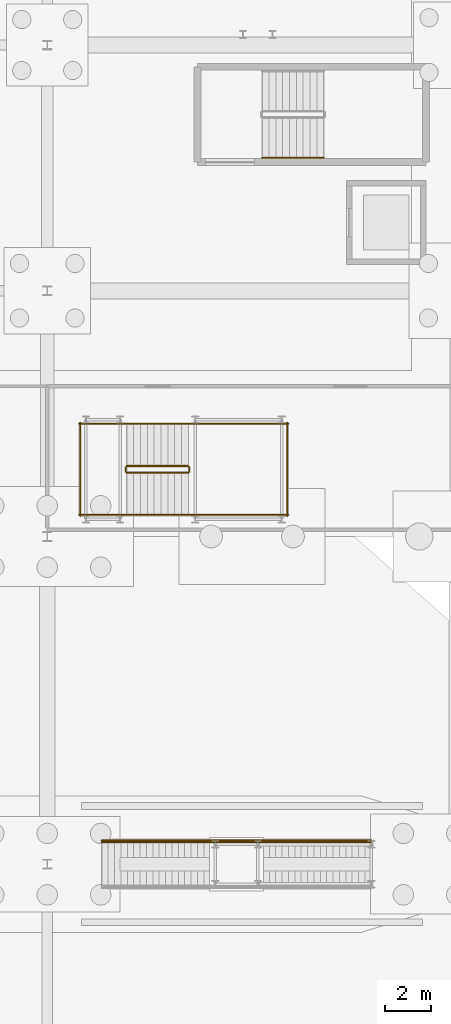
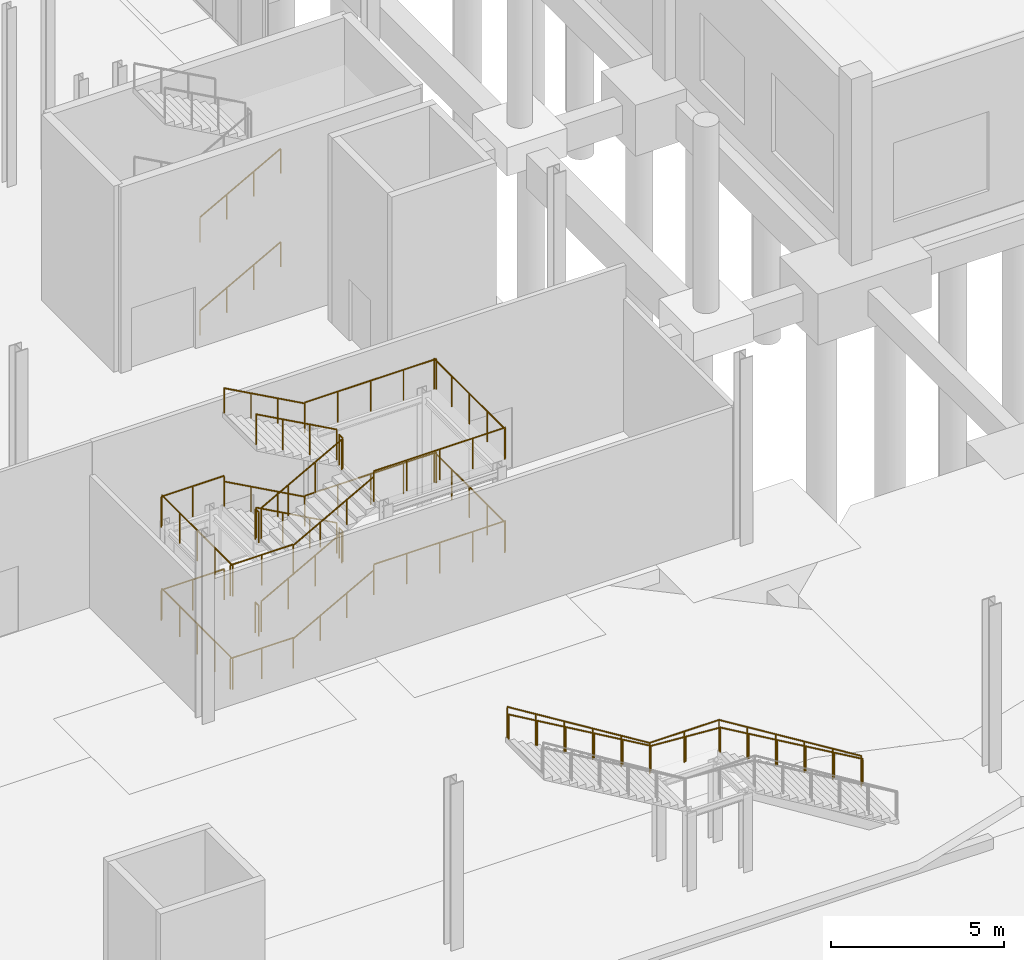
# One storey, part 109 of 115: 28 railings.
"""IFC4 building model written with IfcOpenShell, lengths in metres."""

import ifcopenshell
import ifcopenshell.guid

model = None  # the IFC model being written
_history = None  # IfcOwnerHistory: only IFC2X3 demands one
_inside = {}  # id of a spatial element -> (the spatial element, [elements in it])
_under = {}  # id of a project, library or spatial element -> (it, [spatial elements below it])
_declared = {}  # id of a project -> (the project, [libraries it declares])
_typed = {}  # id of a type object -> (the type object, [elements of that type])
_made_of = {}  # id of a material, layer set ... -> (it, [elements and type objects made of it])


def new_model(schema):
    """Start an empty IFC model of exactly this schema.

    Asked for "IFC4X3", IfcOpenShell would pick the latest addendum, in which some entities
    have other attributes; the version numbers below select the first issue.
    IFC2X3 requires an IfcOwnerHistory on every rooted entity: one is made here for all.
    """
    global model, _history
    if schema == "IFC4X3":
        model = ifcopenshell.file(schema_version=(4, 3, 0, 0))
    else:
        model = ifcopenshell.file(schema=schema)
    _inside.clear()
    _under.clear()
    _declared.clear()
    _typed.clear()
    _made_of.clear()
    _history = None
    if model.schema == "IFC2X3":
        org = make("IfcOrganization", Name="unknown")
        user = make(
            "IfcPersonAndOrganization",
            ThePerson=make("IfcPerson", FamilyName="unknown"),
            TheOrganization=org,
        )
        app = make(
            "IfcApplication",
            ApplicationDeveloper=org,
            Version="unknown",
            ApplicationFullName="unknown",
            ApplicationIdentifier="unknown",
        )
        _history = make(
            "IfcOwnerHistory",
            OwningUser=user,
            OwningApplication=app,
            ChangeAction="ADDED",
            CreationDate=0,
        )
    return model


def make(cls, **values):
    """One entity of the class cls with the attributes given. An attribute that is None is left unset."""
    return model.create_entity(
        cls, **{name: value for name, value in values.items() if value is not None}
    )


def rooted(cls, **values):
    """An entity with a GlobalId (a new one), such as an element, a storey or a relation."""
    return make(cls, GlobalId=ifcopenshell.guid.new(), OwnerHistory=_history, **values)


def si_unit(unit_type, name, prefix=None):
    """IfcSIUnit, for example si_unit("LENGTHUNIT", "METRE", prefix="MILLI")."""
    return make("IfcSIUnit", UnitType=unit_type, Prefix=prefix, Name=name)


def assignment(units):
    """IfcUnitAssignment: the units of a project."""
    return None if units is None else make("IfcUnitAssignment", Units=units)


def point(xyz):
    """IfcCartesianPoint."""
    return None if xyz is None else make("IfcCartesianPoint", Coordinates=xyz)


def direction(xyz):
    """IfcDirection."""
    return None if xyz is None else make("IfcDirection", DirectionRatios=xyz)


def frame(location, z_axis=None, x_axis=None):
    """IfcAxis2Placement3D, a coordinate frame: its origin and axes. An axis left out is left unset."""
    return make(
        "IfcAxis2Placement3D",
        Location=point(location),
        Axis=direction(z_axis),
        RefDirection=direction(x_axis),
    )


def frame_2d(location, x_axis=None):
    """IfcAxis2Placement2D, a coordinate frame in the plane: its origin and x axis."""
    return make(
        "IfcAxis2Placement2D", Location=point(location), RefDirection=direction(x_axis)
    )


def origin():
    """The frame at (0, 0, 0) with its axes left unset."""
    return frame((0.0, 0.0, 0.0))


def origin_2d():
    """The frame at (0, 0) in the plane with its x axis left unset."""
    return frame_2d((0.0, 0.0))


def place(relative_to, where):
    """IfcLocalPlacement: puts the frame where relative to a parent placement (None: the world)."""
    return make(
        "IfcLocalPlacement", PlacementRelTo=relative_to, RelativePlacement=where
    )


def context(
    kind, dimensions, precision=None, world=None, true_north=None, identifier=None
):
    """IfcGeometricRepresentationContext, for example the 3D "Model" context."""
    return make(
        "IfcGeometricRepresentationContext",
        ContextIdentifier=identifier,
        ContextType=kind,
        CoordinateSpaceDimension=dimensions,
        Precision=precision,
        WorldCoordinateSystem=world,
        TrueNorth=true_north,
    )


def subcontext(parent, identifier, kind, view, scale=None):
    """IfcGeometricRepresentationSubContext, for example "Body" below "Model"."""
    return make(
        "IfcGeometricRepresentationSubContext",
        ContextIdentifier=identifier,
        ContextType=kind,
        ParentContext=parent,
        TargetScale=scale,
        TargetView=view,
    )


def project(units=None, contexts=None):
    """IfcProject with its units and contexts."""
    return rooted(
        "IfcProject",
        Name="project",
        RepresentationContexts=contexts,
        UnitsInContext=assignment(units),
    )


def spatial(cls, under=None, at=None, **own):
    """A site, building, storey or space (cls), placed at a placement, below another one or the project."""
    s = rooted(cls, ObjectPlacement=at, **own)
    if under is not None:
        _under.setdefault(under.id(), (under, []))[1].append(s)
    return s


def profile(cls, at=None, kind="AREA", **sizes):
    """A parametric profile (cls). Its sizes go by their IFC names, for example OverallWidth=200.0."""
    return make(cls, ProfileType=kind, Position=at, **sizes)


def circle(**sizes):
    """IfcCircleProfileDef."""
    return profile("IfcCircleProfileDef", **sizes)


def extrude(swept, where, along, depth):
    """IfcExtrudedAreaSolid: the profile swept, set in the frame where, extruded along a direction by depth."""
    return make(
        "IfcExtrudedAreaSolid",
        SweptArea=swept,
        Position=where,
        ExtrudedDirection=direction(along),
        Depth=depth,
    )


def shape(context_of_items, identifier, shape_type, items):
    """IfcShapeRepresentation: the items that make up one representation, for example the "Body"."""
    return make(
        "IfcShapeRepresentation",
        ContextOfItems=context_of_items,
        RepresentationIdentifier=identifier,
        RepresentationType=shape_type,
        Items=items,
    )


def material(Name=None, Category=None):
    """IfcMaterial."""
    return make("IfcMaterial", Name=Name, Category=Category)


def made_of(thing, what):
    """Note that an element or type object is made of a material, layer set ...; save() writes the relation."""
    if what is not None:
        _made_of.setdefault(what.id(), (what, []))[1].append(thing)
    return thing


def type_object(cls, material=None, **own):
    """A type object (cls), such as IfcWallType, which elements share."""
    return made_of(rooted(cls, **own), material)


def element(
    cls,
    number,
    at=None,
    inside=None,
    cuts=None,
    type_object=None,
    material=None,
    context=None,
    identifier="Body",
    shape_type=None,
    held_by="IfcProductDefinitionShape",
    body=None,
    shapes=None,
    **own,
):
    """One element of the class cls, such as IfcWall. Its Tag is "e" and its number.

    at: its placement. inside: the storey or other place that contains it. cuts: it is an
    opening in that element (IfcRelVoidsElement). A single representation is given by context,
    identifier, shape_type and body (its items); several are given by shapes. held_by: the class
    of the entity that holds the representations. save() writes the other relations.
    """
    e = rooted(cls, Tag="e%d" % number, ObjectPlacement=at, **own)
    if body is not None:
        shapes = [shape(context, identifier, shape_type, body)]
    if shapes is not None:
        e.Representation = make(held_by, Representations=shapes)
    if inside is not None:
        _inside.setdefault(inside.id(), (inside, []))[1].append(e)
    if cuts is not None:
        rooted(
            "IfcRelVoidsElement", RelatingBuildingElement=cuts, RelatedOpeningElement=e
        )
    if type_object is not None:
        _typed.setdefault(type_object.id(), (type_object, []))[1].append(e)
    return made_of(e, material)


def aggregate(whole, parts):
    """IfcRelAggregates: a whole, such as a stair, and the parts it consists of."""
    return rooted("IfcRelAggregates", RelatingObject=whole, RelatedObjects=parts)


def save(model, path):
    """Write the relations noted so far, then the file.

    IfcRelAggregates (storeys below a building ...), IfcRelContainedInSpatialStructure (elements
    in a storey), IfcRelDefinesByType, IfcRelAssociatesMaterial and IfcRelDeclares: one each for
    every whole, place, type object, material and project.
    """
    for whole, parts in _under.values():
        aggregate(whole, parts)
    for where, things in _inside.values():
        rooted(
            "IfcRelContainedInSpatialStructure",
            RelatedElements=things,
            RelatingStructure=where,
        )
    for kind, things in _typed.values():
        rooted("IfcRelDefinesByType", RelatedObjects=things, RelatingType=kind)
    for what, things in _made_of.values():
        rooted("IfcRelAssociatesMaterial", RelatedObjects=things, RelatingMaterial=what)
    for by, libraries in _declared.values():
        rooted("IfcRelDeclares", RelatingContext=by, RelatedDefinitions=libraries)
    model.write(path)


model = new_model("IFC4")

# Units and contexts
model_context = context("Model", 3, precision=1e-05, world=origin(), true_north=direction((0.0, 1.0)))
body_context = subcontext(model_context, "Body", "Model", "MODEL_VIEW")
ifc_project = project(units=[si_unit("LENGTHUNIT", "METRE"), si_unit("AREAUNIT", "SQUARE_METRE"), si_unit("VOLUMEUNIT", "CUBIC_METRE"), si_unit("PLANEANGLEUNIT", "RADIAN"), si_unit("MASSUNIT", "GRAM", prefix="KILO")], contexts=[model_context])

# Site, building, storey
site_placement = place(None, origin())
site = spatial("IfcSite", under=ifc_project, at=site_placement, CompositionType="ELEMENT")
building_placement = place(site_placement, origin())
building = spatial("IfcBuilding", under=site, at=building_placement, Name="Tamarisk Ironworks Central Station", CompositionType="ELEMENT")
storey_placement = place(building_placement, origin())
storey = spatial("IfcBuildingStorey", under=building, at=storey_placement, Name="L00", CompositionType="ELEMENT", Elevation=0.0)

# Railings
ifc_material_1 = material(Name="Laminated solar-control low-E glass", Category="glass")
railing_type_1 = type_object("IfcRailingType", Name="RL-GUARD-GLASS", PredefinedType="BALUSTRADE", material=ifc_material_1)
railing_1_placement = place(storey_placement, frame((93.5, 82.0, 0.1650390625)))
element("IfcRailing", 1, at=railing_1_placement, inside=storey, type_object=railing_type_1, Name="L00 ST-TH2 stair guard 1", PredefinedType="BALUSTRADE", context=body_context, shape_type="SweptSolid", body=[
    extrude(circle(Radius=0.02392578125, at=origin_2d()), frame((0.0, 0.0, 1.076171875), z_axis=(0.876230963923, 0.0, 0.481891375584), x_axis=(0.0, 1.0, 0.0)), (0.0, 0.0, 1.0), 3.081298828125),
    extrude(circle(Radius=0.02099609375, at=origin_2d()), origin(), (0.0, 0.0, 1.0), 1.052001953125),
    extrude(circle(Radius=0.02099609375, at=origin_2d()), frame((0.89990234375, 0.0, 0.494873046875)), (0.0, 0.0, 1.0), 1.052001953125),
    extrude(circle(Radius=0.02099609375, at=origin_2d()), frame((1.800048828125, 0.0, 0.989990234375)), (0.0, 0.0, 1.0), 1.052001953125),
    extrude(circle(Radius=0.02099609375, at=origin_2d()), frame((2.699951171875, 0.0, 1.48486328125)), (0.0, 0.0, 1.0), 1.052001953125),
])
railing_2_placement = place(storey_placement, frame((96.25, 82.050048828125, 1.64990234375)))
element("IfcRailing", 2, at=railing_2_placement, inside=storey, type_object=railing_type_1, Name="L00 ST-TH2 stair guard 2", PredefinedType="BALUSTRADE", context=body_context, shape_type="SweptSolid", body=[
    extrude(circle(Radius=0.02392578125, at=origin_2d()), frame((0.0, 0.0, 1.076171875), z_axis=(0.0, 1.0, 0.0), x_axis=(-1.0, 0.0, 0.0)), (0.0, 0.0, 1.0), 0.199951171875),
    extrude(circle(Radius=0.02099609375, at=origin_2d()), origin(), (0.0, 0.0, 1.0), 1.052001953125),
    extrude(circle(Radius=0.02099609375, at=origin_2d()), frame((0.0, 0.199951171875, 0.0)), (0.0, 0.0, 1.0), 1.052001953125),
])
for number, where, name in (
    (3, (96.199951171875, 80.14990234375, 1.64990234375), "L00 ST-TH2 stair guard 3"),
    (4, (96.199951171875, 84.14990234375, 1.64990234375), "L00 ST-TH2 stair guard 4"),
):
    element("IfcRailing", number, at=place(storey_placement, frame(where)), inside=storey, type_object=railing_type_1, Name=name, PredefinedType="BALUSTRADE", context=body_context, shape_type="SweptSolid", body=[
        extrude(circle(Radius=0.02392578125, at=origin_2d()), frame((0.0, 0.0, 1.076171875), z_axis=(1.0, 0.0, 0.0), x_axis=(0.0, 1.0, 0.0)), (0.0, 0.0, 1.0), 4.400146484375),
        extrude(circle(Radius=0.02099609375, at=origin_2d()), origin(), (0.0, 0.0, 1.0), 1.052001953125),
        extrude(circle(Radius=0.02099609375, at=origin_2d()), frame((1.10009765625, 0.0, 0.0)), (0.0, 0.0, 1.0), 1.052001953125),
        extrude(circle(Radius=0.02099609375, at=origin_2d()), frame((2.2001953125, 0.0, 0.0)), (0.0, 0.0, 1.0), 1.052001953125),
        extrude(circle(Radius=0.02099609375, at=origin_2d()), frame((3.300048828125, 0.0, 0.0)), (0.0, 0.0, 1.0), 1.052001953125),
        extrude(circle(Radius=0.02099609375, at=origin_2d()), frame((4.400146484375, 0.0, 0.0)), (0.0, 0.0, 1.0), 1.052001953125),
    ])
railing_3_placement = place(storey_placement, frame((100.550048828125, 80.10009765625, 1.64990234375)))
element("IfcRailing", 5, at=railing_3_placement, inside=storey, type_object=railing_type_1, Name="L00 ST-TH2 stair guard 5", PredefinedType="BALUSTRADE", context=body_context, shape_type="SweptSolid", body=[
    extrude(circle(Radius=0.02392578125, at=origin_2d()), frame((0.0, 0.0, 1.076171875), z_axis=(0.0, 1.0, 0.0), x_axis=(-1.0, 0.0, 0.0)), (0.0, 0.0, 1.0), 4.099853515625),
    extrude(circle(Radius=0.02099609375, at=origin_2d()), origin(), (0.0, 0.0, 1.0), 1.052001953125),
    extrude(circle(Radius=0.02099609375, at=origin_2d()), frame((0.0, 1.02490234375, 0.0)), (0.0, 0.0, 1.0), 1.052001953125),
    extrude(circle(Radius=0.02099609375, at=origin_2d()), frame((0.0, 2.0498046875, 0.0)), (0.0, 0.0, 1.0), 1.052001953125),
    extrude(circle(Radius=0.02099609375, at=origin_2d()), frame((0.0, 3.074951171875, 0.0)), (0.0, 0.0, 1.0), 1.052001953125),
    extrude(circle(Radius=0.02099609375, at=origin_2d()), frame((0.0, 4.099853515625, 0.0)), (0.0, 0.0, 1.0), 1.052001953125),
])
railing_4_placement = place(storey_placement, frame((96.199951171875, 82.300048828125, 1.81494140625)))
element("IfcRailing", 6, at=railing_4_placement, inside=storey, type_object=railing_type_1, Name="L00 ST-TH2 stair guard 6", PredefinedType="BALUSTRADE", context=body_context, shape_type="SweptSolid", body=[
    extrude(circle(Radius=0.02392578125, at=origin_2d()), frame((0.0, 0.0, 1.076171875), z_axis=(-0.876197507361, 0.0, 0.481952205197), x_axis=(0.0, -1.0, 0.0)), (0.0, 0.0, 1.0), 3.08154296875),
    extrude(circle(Radius=0.02099609375, at=origin_2d()), origin(), (0.0, 0.0, 1.0), 1.052001953125),
    extrude(circle(Radius=0.02099609375, at=origin_2d()), frame((-0.89990234375, 0.0, 0.4951171875)), (0.0, 0.0, 1.0), 1.052001953125),
    extrude(circle(Radius=0.02099609375, at=origin_2d()), frame((-1.800048828125, 0.0, 0.989990234375)), (0.0, 0.0, 1.0), 1.052001953125),
    extrude(circle(Radius=0.02099609375, at=origin_2d()), frame((-2.699951171875, 0.0, 1.485107421875)), (0.0, 0.0, 1.0), 1.052001953125),
])
railing_5_placement = place(storey_placement, frame((93.449951171875, 82.050048828125, 3.300048828125)))
element("IfcRailing", 7, at=railing_5_placement, inside=storey, type_object=railing_type_1, Name="L00 ST-TH2 stair guard 7", PredefinedType="BALUSTRADE", context=body_context, shape_type="SweptSolid", body=[
    extrude(circle(Radius=0.02392578125, at=origin_2d()), frame((0.0, 0.0, 1.076171875), z_axis=(0.0, 1.0, 0.0), x_axis=(-1.0, 0.0, 0.0)), (0.0, 0.0, 1.0), 0.199951171875),
    extrude(circle(Radius=0.02099609375, at=origin_2d()), origin(), (0.0, 0.0, 1.0), 1.052001953125),
    extrude(circle(Radius=0.02099609375, at=origin_2d()), frame((0.0, 0.199951171875, 0.0)), (0.0, 0.0, 1.0), 1.052001953125),
])
for number, where, name in (
    (8, (91.39990234375, 80.14990234375, 3.300048828125), "L00 ST-TH2 stair guard 8"),
    (9, (91.39990234375, 84.14990234375, 3.300048828125), "L00 ST-TH2 stair guard 9"),
):
    element("IfcRailing", number, at=place(storey_placement, frame(where)), inside=storey, type_object=railing_type_1, Name=name, PredefinedType="BALUSTRADE", context=body_context, shape_type="SweptSolid", body=[
        extrude(circle(Radius=0.02392578125, at=origin_2d()), frame((0.0, 0.0, 1.076171875), z_axis=(1.0, 0.0, 0.0), x_axis=(0.0, 1.0, 0.0)), (0.0, 0.0, 1.0), 2.10009765625),
        extrude(circle(Radius=0.02099609375, at=origin_2d()), origin(), (0.0, 0.0, 1.0), 1.052001953125),
        extrude(circle(Radius=0.02099609375, at=origin_2d()), frame((1.050048828125, 0.0, 0.0)), (0.0, 0.0, 1.0), 1.052001953125),
        extrude(circle(Radius=0.02099609375, at=origin_2d()), frame((2.10009765625, 0.0, 0.0)), (0.0, 0.0, 1.0), 1.052001953125),
    ])
railing_6_placement = place(storey_placement, frame((91.449951171875, 80.10009765625, 3.300048828125)))
element("IfcRailing", 10, at=railing_6_placement, inside=storey, type_object=railing_type_1, Name="L00 ST-TH2 stair guard 10", PredefinedType="BALUSTRADE", context=body_context, shape_type="SweptSolid", body=[
    extrude(circle(Radius=0.02392578125, at=origin_2d()), frame((0.0, 0.0, 1.076171875), z_axis=(0.0, 1.0, 0.0), x_axis=(-1.0, 0.0, 0.0)), (0.0, 0.0, 1.0), 4.099853515625),
    extrude(circle(Radius=0.02099609375, at=origin_2d()), origin(), (0.0, 0.0, 1.0), 1.052001953125),
    extrude(circle(Radius=0.02099609375, at=origin_2d()), frame((0.0, 1.02490234375, 0.0)), (0.0, 0.0, 1.0), 1.052001953125),
    extrude(circle(Radius=0.02099609375, at=origin_2d()), frame((0.0, 2.0498046875, 0.0)), (0.0, 0.0, 1.0), 1.052001953125),
    extrude(circle(Radius=0.02099609375, at=origin_2d()), frame((0.0, 3.074951171875, 0.0)), (0.0, 0.0, 1.0), 1.052001953125),
    extrude(circle(Radius=0.02099609375, at=origin_2d()), frame((0.0, 4.099853515625, 0.0)), (0.0, 0.0, 1.0), 1.052001953125),
])
railing_7_placement = place(storey_placement, frame((93.5, 82.0, 3.465087890625)))
element("IfcRailing", 11, at=railing_7_placement, inside=storey, type_object=railing_type_1, Name="L00 ST-TH2 stair guard 11", PredefinedType="BALUSTRADE", context=body_context, shape_type="SweptSolid", body=[
    extrude(circle(Radius=0.02392578125, at=origin_2d()), frame((0.0, 0.0, 1.076171875), z_axis=(0.876230963923, 0.0, 0.481891375584), x_axis=(0.0, 1.0, 0.0)), (0.0, 0.0, 1.0), 3.081298828125),
    extrude(circle(Radius=0.02099609375, at=origin_2d()), origin(), (0.0, 0.0, 1.0), 1.052001953125),
    extrude(circle(Radius=0.02099609375, at=origin_2d()), frame((0.89990234375, 0.0, 0.494873046875)), (0.0, 0.0, 1.0), 1.052001953125),
    extrude(circle(Radius=0.02099609375, at=origin_2d()), frame((1.800048828125, 0.0, 0.989990234375)), (0.0, 0.0, 1.0), 1.052001953125),
    extrude(circle(Radius=0.02099609375, at=origin_2d()), frame((2.699951171875, 0.0, 1.48486328125)), (0.0, 0.0, 1.0), 1.052001953125),
])
railing_8_placement = place(storey_placement, frame((96.25, 82.050048828125, 4.949951171875)))
element("IfcRailing", 12, at=railing_8_placement, inside=storey, type_object=railing_type_1, Name="L00 ST-TH2 stair guard 12", PredefinedType="BALUSTRADE", context=body_context, shape_type="SweptSolid", body=[
    extrude(circle(Radius=0.02392578125, at=origin_2d()), frame((0.0, 0.0, 1.076171875), z_axis=(0.0, 1.0, 0.0), x_axis=(-1.0, 0.0, 0.0)), (0.0, 0.0, 1.0), 0.199951171875),
    extrude(circle(Radius=0.02099609375, at=origin_2d()), origin(), (0.0, 0.0, 1.0), 1.052001953125),
    extrude(circle(Radius=0.02099609375, at=origin_2d()), frame((0.0, 0.199951171875, 0.0)), (0.0, 0.0, 1.0), 1.052001953125),
])
for number, where, name in (
    (13, (96.199951171875, 80.14990234375, 4.949951171875), "L00 ST-TH2 stair guard 13"),
    (14, (96.199951171875, 84.14990234375, 4.949951171875), "L00 ST-TH2 stair guard 14"),
):
    element("IfcRailing", number, at=place(storey_placement, frame(where)), inside=storey, type_object=railing_type_1, Name=name, PredefinedType="BALUSTRADE", context=body_context, shape_type="SweptSolid", body=[
        extrude(circle(Radius=0.02392578125, at=origin_2d()), frame((0.0, 0.0, 1.076171875), z_axis=(1.0, 0.0, 0.0), x_axis=(0.0, 1.0, 0.0)), (0.0, 0.0, 1.0), 4.400146484375),
        extrude(circle(Radius=0.02099609375, at=origin_2d()), origin(), (0.0, 0.0, 1.0), 1.052001953125),
        extrude(circle(Radius=0.02099609375, at=origin_2d()), frame((1.10009765625, 0.0, 0.0)), (0.0, 0.0, 1.0), 1.052001953125),
        extrude(circle(Radius=0.02099609375, at=origin_2d()), frame((2.2001953125, 0.0, 0.0)), (0.0, 0.0, 1.0), 1.052001953125),
        extrude(circle(Radius=0.02099609375, at=origin_2d()), frame((3.300048828125, 0.0, 0.0)), (0.0, 0.0, 1.0), 1.052001953125),
        extrude(circle(Radius=0.02099609375, at=origin_2d()), frame((4.400146484375, 0.0, 0.0)), (0.0, 0.0, 1.0), 1.052001953125),
    ])
railing_9_placement = place(storey_placement, frame((100.550048828125, 80.10009765625, 4.949951171875)))
element("IfcRailing", 15, at=railing_9_placement, inside=storey, type_object=railing_type_1, Name="L00 ST-TH2 stair guard 15", PredefinedType="BALUSTRADE", context=body_context, shape_type="SweptSolid", body=[
    extrude(circle(Radius=0.02392578125, at=origin_2d()), frame((0.0, 0.0, 1.076171875), z_axis=(0.0, 1.0, 0.0), x_axis=(-1.0, 0.0, 0.0)), (0.0, 0.0, 1.0), 4.099853515625),
    extrude(circle(Radius=0.02099609375, at=origin_2d()), origin(), (0.0, 0.0, 1.0), 1.052001953125),
    extrude(circle(Radius=0.02099609375, at=origin_2d()), frame((0.0, 1.02490234375, 0.0)), (0.0, 0.0, 1.0), 1.052001953125),
    extrude(circle(Radius=0.02099609375, at=origin_2d()), frame((0.0, 2.0498046875, 0.0)), (0.0, 0.0, 1.0), 1.052001953125),
    extrude(circle(Radius=0.02099609375, at=origin_2d()), frame((0.0, 3.074951171875, 0.0)), (0.0, 0.0, 1.0), 1.052001953125),
    extrude(circle(Radius=0.02099609375, at=origin_2d()), frame((0.0, 4.099853515625, 0.0)), (0.0, 0.0, 1.0), 1.052001953125),
])
railing_10_placement = place(storey_placement, frame((96.199951171875, 82.300048828125, 5.114990234375)))
element("IfcRailing", 16, at=railing_10_placement, inside=storey, type_object=railing_type_1, Name="L00 ST-TH2 stair guard 16", PredefinedType="BALUSTRADE", context=body_context, shape_type="SweptSolid", body=[
    extrude(circle(Radius=0.02392578125, at=origin_2d()), frame((0.0, 0.0, 1.076171875), z_axis=(-0.876197507361, 0.0, 0.481952205197), x_axis=(0.0, -1.0, 0.0)), (0.0, 0.0, 1.0), 3.08154296875),
    extrude(circle(Radius=0.02099609375, at=origin_2d()), origin(), (0.0, 0.0, 1.0), 1.052001953125),
    extrude(circle(Radius=0.02099609375, at=origin_2d()), frame((-0.89990234375, 0.0, 0.4951171875)), (0.0, 0.0, 1.0), 1.052001953125),
    extrude(circle(Radius=0.02099609375, at=origin_2d()), frame((-1.800048828125, 0.0, 0.989990234375)), (0.0, 0.0, 1.0), 1.052001953125),
    extrude(circle(Radius=0.02099609375, at=origin_2d()), frame((-2.699951171875, 0.0, 1.485107421875)), (0.0, 0.0, 1.0), 1.052001953125),
])
railing_11_placement = place(storey_placement, frame((93.449951171875, 82.050048828125, 0.0)))
element("IfcRailing", 17, at=railing_11_placement, inside=storey, type_object=railing_type_1, Name="L00 ST-TH2 stair guard 17", PredefinedType="BALUSTRADE", context=body_context, shape_type="SweptSolid", body=[
    extrude(circle(Radius=0.02392578125, at=origin_2d()), frame((0.0, 0.0, 1.076171875), z_axis=(0.0, 1.0, 0.0), x_axis=(-1.0, 0.0, 0.0)), (0.0, 0.0, 1.0), 0.199951171875),
    extrude(circle(Radius=0.02099609375, at=origin_2d()), origin(), (0.0, 0.0, 1.0), 1.052001953125),
    extrude(circle(Radius=0.02099609375, at=origin_2d()), frame((0.0, 0.199951171875, 0.0)), (0.0, 0.0, 1.0), 1.052001953125),
])
for number, where, name in (
    (18, (91.39990234375, 80.14990234375, 0.0), "L00 ST-TH2 stair guard 18"),
    (19, (91.39990234375, 84.14990234375, 0.0), "L00 ST-TH2 stair guard 19"),
):
    element("IfcRailing", number, at=place(storey_placement, frame(where)), inside=storey, type_object=railing_type_1, Name=name, PredefinedType="BALUSTRADE", context=body_context, shape_type="SweptSolid", body=[
        extrude(circle(Radius=0.02392578125, at=origin_2d()), frame((0.0, 0.0, 1.076171875), z_axis=(1.0, 0.0, 0.0), x_axis=(0.0, 1.0, 0.0)), (0.0, 0.0, 1.0), 2.10009765625),
        extrude(circle(Radius=0.02099609375, at=origin_2d()), origin(), (0.0, 0.0, 1.0), 1.052001953125),
        extrude(circle(Radius=0.02099609375, at=origin_2d()), frame((1.050048828125, 0.0, 0.0)), (0.0, 0.0, 1.0), 1.052001953125),
        extrude(circle(Radius=0.02099609375, at=origin_2d()), frame((2.10009765625, 0.0, 0.0)), (0.0, 0.0, 1.0), 1.052001953125),
    ])
railing_12_placement = place(storey_placement, frame((91.449951171875, 80.10009765625, 0.0)))
element("IfcRailing", 20, at=railing_12_placement, inside=storey, type_object=railing_type_1, Name="L00 ST-TH2 stair guard 20", PredefinedType="BALUSTRADE", context=body_context, shape_type="SweptSolid", body=[
    extrude(circle(Radius=0.02392578125, at=origin_2d()), frame((0.0, 0.0, 1.076171875), z_axis=(0.0, 1.0, 0.0), x_axis=(-1.0, 0.0, 0.0)), (0.0, 0.0, 1.0), 4.099853515625),
    extrude(circle(Radius=0.02099609375, at=origin_2d()), origin(), (0.0, 0.0, 1.0), 1.052001953125),
    extrude(circle(Radius=0.02099609375, at=origin_2d()), frame((0.0, 1.02490234375, 0.0)), (0.0, 0.0, 1.0), 1.052001953125),
    extrude(circle(Radius=0.02099609375, at=origin_2d()), frame((0.0, 2.0498046875, 0.0)), (0.0, 0.0, 1.0), 1.052001953125),
    extrude(circle(Radius=0.02099609375, at=origin_2d()), frame((0.0, 3.074951171875, 0.0)), (0.0, 0.0, 1.0), 1.052001953125),
    extrude(circle(Radius=0.02099609375, at=origin_2d()), frame((0.0, 4.099853515625, 0.0)), (0.0, 0.0, 1.0), 1.052001953125),
])
ifc_material_2 = material(Name="Brushed stainless steel AISI 316", Category="steel")
railing_type_2 = type_object("IfcRailingType", Name="RL-GUARD-INT", PredefinedType="BALUSTRADE", material=ifc_material_2)
railing_13_placement = place(storey_placement, frame((104.239990234375, 65.840087890625, 0.719970703125)))
element("IfcRailing", 21, at=railing_13_placement, inside=storey, type_object=railing_type_2, Name="ST-P4B flight guard N", PredefinedType="BALUSTRADE", context=body_context, shape_type="SweptSolid", body=[
    extrude(circle(Radius=0.02392578125, at=origin_2d()), frame((0.0, 0.0, 1.09619140625), z_axis=(-0.850803161698, 0.0, 0.525484519319), x_axis=(0.0, -1.0, 0.0)), (0.0, 0.0, 1.0), 5.5947265625),
    extrude(circle(Radius=0.02392578125, at=origin_2d()), frame((-4.760009765625, 0.0, 4.0361328125), z_axis=(-1.0, 0.0, 0.0), x_axis=(0.0, -1.0, 0.0)), (0.0, 0.0, 1.0), 2.320068359375),
    extrude(circle(Radius=0.02392578125, at=origin_2d()), frame((-7.080078125, 0.0, 4.0361328125), z_axis=(-0.850783651871, 0.0, 0.525516106041), x_axis=(0.0, -1.0, 0.0)), (0.0, 0.0, 1.0), 5.594970703125),
    extrude(circle(Radius=0.02099609375, at=origin_2d()), origin(), (0.0, 0.0, 1.0), 1.072021484375),
    extrude(circle(Radius=0.02099609375, at=origin_2d()), frame((-0.951904296875, 0.0, 0.587890625)), (0.0, 0.0, 1.0), 1.072021484375),
    extrude(circle(Radius=0.02099609375, at=origin_2d()), frame((-1.904052734375, 0.0, 1.176025390625)), (0.0, 0.0, 1.0), 1.072021484375),
    extrude(circle(Radius=0.02099609375, at=origin_2d()), frame((-2.85595703125, 0.0, 1.763916015625)), (0.0, 0.0, 1.0), 1.072021484375),
    extrude(circle(Radius=0.02099609375, at=origin_2d()), frame((-3.80810546875, 0.0, 2.35205078125)), (0.0, 0.0, 1.0), 1.072021484375),
    extrude(circle(Radius=0.02099609375, at=origin_2d()), frame((-4.760009765625, 0.0, 2.93994140625)), (0.0, 0.0, 1.0), 1.072021484375),
    extrude(circle(Radius=0.02099609375, at=origin_2d()), frame((-5.919921875, 0.0, 2.93994140625)), (0.0, 0.0, 1.0), 1.072021484375),
    extrude(circle(Radius=0.02099609375, at=origin_2d()), frame((-7.080078125, 0.0, 2.93994140625)), (0.0, 0.0, 1.0), 1.072021484375),
    extrude(circle(Radius=0.02099609375, at=origin_2d()), frame((-8.031982421875, 0.0, 3.528076171875)), (0.0, 0.0, 1.0), 1.072021484375),
    extrude(circle(Radius=0.02099609375, at=origin_2d()), frame((-8.984130859375, 0.0, 4.115966796875)), (0.0, 0.0, 1.0), 1.072021484375),
    extrude(circle(Radius=0.02099609375, at=origin_2d()), frame((-9.93603515625, 0.0, 4.7041015625)), (0.0, 0.0, 1.0), 1.072021484375),
    extrude(circle(Radius=0.02099609375, at=origin_2d()), frame((-10.88818359375, 0.0, 5.2919921875)), (0.0, 0.0, 1.0), 1.072021484375),
    extrude(circle(Radius=0.02099609375, at=origin_2d()), frame((-11.840087890625, 0.0, 5.880126953125)), (0.0, 0.0, 1.0), 1.072021484375),
])
railing_type_3 = type_object("IfcRailingType", Name="RL-HAND", PredefinedType="HANDRAIL", material=ifc_material_2)
for number, where, name in (
    (22, (99.449951171875, 95.85009765625, 0.1650390625), "L00 ST-C4 stair handrail 1"),
    (23, (99.449951171875, 95.85009765625, 3.465087890625), "L00 ST-C4 stair handrail 3"),
    (24, (93.5, 80.14990234375, 0.1650390625), "L00 ST-TH2 stair handrail 1"),
):
    element("IfcRailing", number, at=place(storey_placement, frame(where)), inside=storey, type_object=railing_type_3, Name=name, PredefinedType="HANDRAIL", context=body_context, shape_type="SweptSolid", body=[
        extrude(circle(Radius=0.02392578125, at=origin_2d()), frame((0.0, 0.0, 0.8759765625), z_axis=(0.876230963923, 0.0, 0.481891375584), x_axis=(0.0, 1.0, 0.0)), (0.0, 0.0, 1.0), 3.081298828125),
        extrude(circle(Radius=0.02099609375, at=origin_2d()), origin(), (0.0, 0.0, 1.0), 0.851806640625),
        extrude(circle(Radius=0.02099609375, at=origin_2d()), frame((0.89990234375, 0.0, 0.494873046875)), (0.0, 0.0, 1.0), 0.851806640625),
        extrude(circle(Radius=0.02099609375, at=origin_2d()), frame((1.800048828125, 0.0, 0.989990234375)), (0.0, 0.0, 1.0), 0.851806640625),
        extrude(circle(Radius=0.02099609375, at=origin_2d()), frame((2.699951171875, 0.0, 1.48486328125)), (0.0, 0.0, 1.0), 0.851806640625),
    ])
railing_14_placement = place(storey_placement, frame((96.199951171875, 84.14990234375, 1.81494140625)))
element("IfcRailing", 25, at=railing_14_placement, inside=storey, type_object=railing_type_3, Name="L00 ST-TH2 stair handrail 2", PredefinedType="HANDRAIL", context=body_context, shape_type="SweptSolid", body=[
    extrude(circle(Radius=0.02392578125, at=origin_2d()), frame((0.0, 0.0, 0.8759765625), z_axis=(-0.876197507361, 0.0, 0.481952205197), x_axis=(0.0, -1.0, 0.0)), (0.0, 0.0, 1.0), 3.08154296875),
    extrude(circle(Radius=0.02099609375, at=origin_2d()), origin(), (0.0, 0.0, 1.0), 0.851806640625),
    extrude(circle(Radius=0.02099609375, at=origin_2d()), frame((-0.89990234375, 0.0, 0.4951171875)), (0.0, 0.0, 1.0), 0.851806640625),
    extrude(circle(Radius=0.02099609375, at=origin_2d()), frame((-1.800048828125, 0.0, 0.989990234375)), (0.0, 0.0, 1.0), 0.851806640625),
    extrude(circle(Radius=0.02099609375, at=origin_2d()), frame((-2.699951171875, 0.0, 1.485107421875)), (0.0, 0.0, 1.0), 0.851806640625),
])
railing_15_placement = place(storey_placement, frame((93.5, 80.14990234375, 3.465087890625)))
element("IfcRailing", 26, at=railing_15_placement, inside=storey, type_object=railing_type_3, Name="L00 ST-TH2 stair handrail 3", PredefinedType="HANDRAIL", context=body_context, shape_type="SweptSolid", body=[
    extrude(circle(Radius=0.02392578125, at=origin_2d()), frame((0.0, 0.0, 0.8759765625), z_axis=(0.876230963923, 0.0, 0.481891375584), x_axis=(0.0, 1.0, 0.0)), (0.0, 0.0, 1.0), 3.081298828125),
    extrude(circle(Radius=0.02099609375, at=origin_2d()), origin(), (0.0, 0.0, 1.0), 0.851806640625),
    extrude(circle(Radius=0.02099609375, at=origin_2d()), frame((0.89990234375, 0.0, 0.494873046875)), (0.0, 0.0, 1.0), 0.851806640625),
    extrude(circle(Radius=0.02099609375, at=origin_2d()), frame((1.800048828125, 0.0, 0.989990234375)), (0.0, 0.0, 1.0), 0.851806640625),
    extrude(circle(Radius=0.02099609375, at=origin_2d()), frame((2.699951171875, 0.0, 1.48486328125)), (0.0, 0.0, 1.0), 0.851806640625),
])
railing_16_placement = place(storey_placement, frame((96.199951171875, 84.14990234375, 5.114990234375)))
element("IfcRailing", 27, at=railing_16_placement, inside=storey, type_object=railing_type_3, Name="L00 ST-TH2 stair handrail 4", PredefinedType="HANDRAIL", context=body_context, shape_type="SweptSolid", body=[
    extrude(circle(Radius=0.02392578125, at=origin_2d()), frame((0.0, 0.0, 0.8759765625), z_axis=(-0.876197507361, 0.0, 0.481952205197), x_axis=(0.0, -1.0, 0.0)), (0.0, 0.0, 1.0), 3.08154296875),
    extrude(circle(Radius=0.02099609375, at=origin_2d()), origin(), (0.0, 0.0, 1.0), 0.851806640625),
    extrude(circle(Radius=0.02099609375, at=origin_2d()), frame((-0.89990234375, 0.0, 0.4951171875)), (0.0, 0.0, 1.0), 0.851806640625),
    extrude(circle(Radius=0.02099609375, at=origin_2d()), frame((-1.800048828125, 0.0, 0.989990234375)), (0.0, 0.0, 1.0), 0.851806640625),
    extrude(circle(Radius=0.02099609375, at=origin_2d()), frame((-2.699951171875, 0.0, 1.485107421875)), (0.0, 0.0, 1.0), 0.851806640625),
])
railing_17_placement = place(storey_placement, frame((104.239990234375, 65.760009765625, 0.88330078125)))
element("IfcRailing", 28, at=railing_17_placement, inside=storey, type_object=railing_type_3, Name="ST-P4B handrail N", PredefinedType="HANDRAIL", context=body_context, shape_type="SweptSolid", body=[
    extrude(circle(Radius=0.02392578125, at=origin_2d()), frame((0.0, 0.0, 0.8759765625), z_axis=(-0.863783721438, 0.0, 0.503862761651), x_axis=(0.0, -1.0, 0.0)), (0.0, 0.0, 1.0), 5.5107421875),
    extrude(circle(Radius=0.02392578125, at=origin_2d()), frame((-4.760009765625, 0.0, 3.65234375), z_axis=(-0.997531175799, 0.0, 0.070225019111), x_axis=(0.0, -1.0, 0.0)), (0.0, 0.0, 1.0), 2.325927734375),
    extrude(circle(Radius=0.02392578125, at=origin_2d()), frame((-7.080078125, 0.0, 3.81591796875), z_axis=(-0.863764439128, 0.0, 0.503895816313), x_axis=(0.0, -1.0, 0.0)), (0.0, 0.0, 1.0), 5.5107421875),
    extrude(circle(Radius=0.02099609375, at=origin_2d()), origin(), (0.0, 0.0, 1.0), 0.851806640625),
    extrude(circle(Radius=0.02099609375, at=origin_2d()), frame((-0.951904296875, 0.0, 0.555419921875)), (0.0, 0.0, 1.0), 0.851806640625),
    extrude(circle(Radius=0.02099609375, at=origin_2d()), frame((-1.904052734375, 0.0, 1.110595703125)), (0.0, 0.0, 1.0), 0.851806640625),
    extrude(circle(Radius=0.02099609375, at=origin_2d()), frame((-2.85595703125, 0.0, 1.666015625)), (0.0, 0.0, 1.0), 0.851806640625),
    extrude(circle(Radius=0.02099609375, at=origin_2d()), frame((-3.80810546875, 0.0, 2.22119140625)), (0.0, 0.0, 1.0), 0.851806640625),
    extrude(circle(Radius=0.02099609375, at=origin_2d()), frame((-4.760009765625, 0.0, 2.776611328125)), (0.0, 0.0, 1.0), 0.851806640625),
    extrude(circle(Radius=0.02099609375, at=origin_2d()), frame((-5.919921875, 0.0, 2.8583984375)), (0.0, 0.0, 1.0), 0.851806640625),
    extrude(circle(Radius=0.02099609375, at=origin_2d()), frame((-7.080078125, 0.0, 2.93994140625)), (0.0, 0.0, 1.0), 0.851806640625),
    extrude(circle(Radius=0.02099609375, at=origin_2d()), frame((-8.031982421875, 0.0, 3.495361328125)), (0.0, 0.0, 1.0), 0.851806640625),
    extrude(circle(Radius=0.02099609375, at=origin_2d()), frame((-8.984130859375, 0.0, 4.05078125)), (0.0, 0.0, 1.0), 0.851806640625),
    extrude(circle(Radius=0.02099609375, at=origin_2d()), frame((-9.93603515625, 0.0, 4.60595703125)), (0.0, 0.0, 1.0), 0.851806640625),
    extrude(circle(Radius=0.02099609375, at=origin_2d()), frame((-10.88818359375, 0.0, 5.161376953125)), (0.0, 0.0, 1.0), 0.851806640625),
    extrude(circle(Radius=0.02099609375, at=origin_2d()), frame((-11.840087890625, 0.0, 5.716796875)), (0.0, 0.0, 1.0), 0.851806640625),
])

save(model, "model.ifc")
